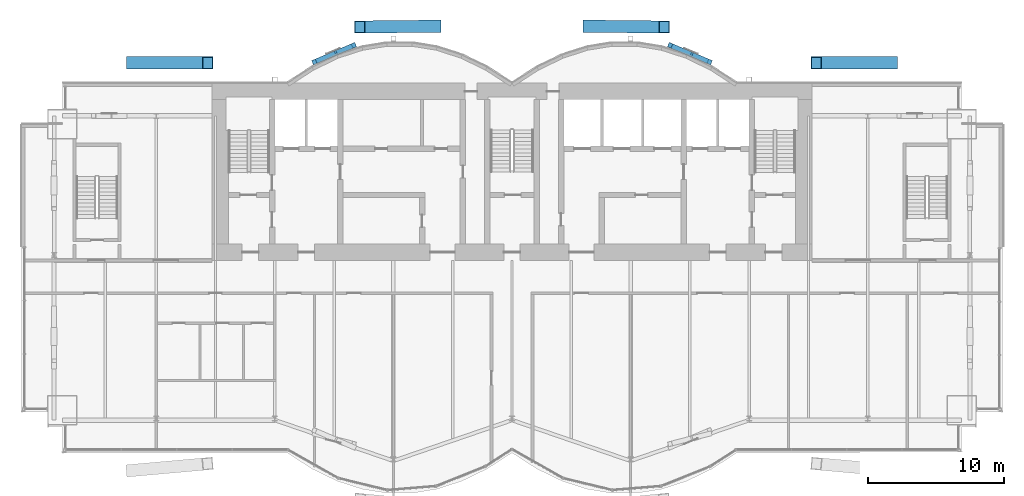
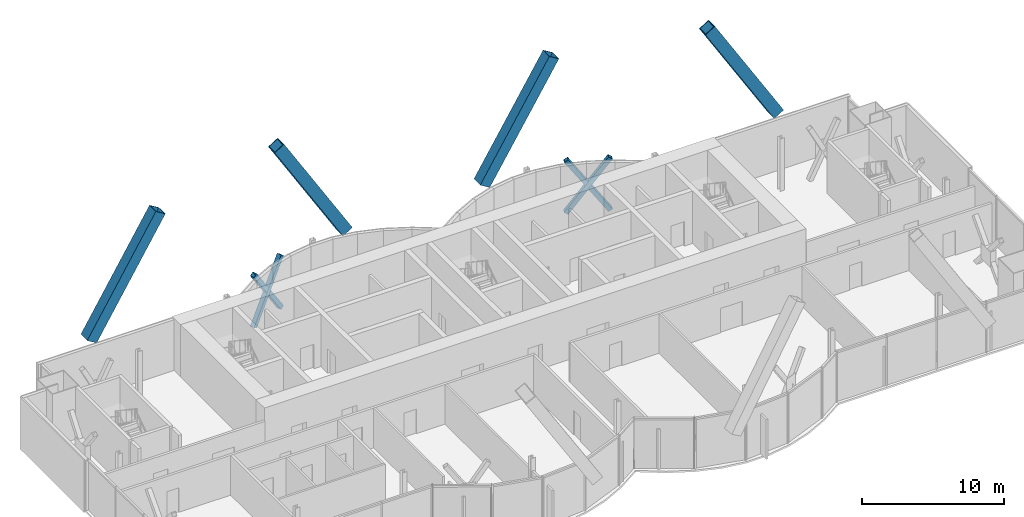
# One storey, part 10 of 19: 10 members.
"""IFC4 building model written with IfcOpenShell, lengths in metres."""

import ifcopenshell
import ifcopenshell.guid

model = None  # the IFC model being written
_history = None  # IfcOwnerHistory: only IFC2X3 demands one
_inside = {}  # id of a spatial element -> (the spatial element, [elements in it])
_under = {}  # id of a project, library or spatial element -> (it, [spatial elements below it])
_declared = {}  # id of a project -> (the project, [libraries it declares])
_typed = {}  # id of a type object -> (the type object, [elements of that type])
_made_of = {}  # id of a material, layer set ... -> (it, [elements and type objects made of it])


def new_model(schema):
    """Start an empty IFC model of exactly this schema.

    Asked for "IFC4X3", IfcOpenShell would pick the latest addendum, in which some entities
    have other attributes; the version numbers below select the first issue.
    IFC2X3 requires an IfcOwnerHistory on every rooted entity: one is made here for all.
    """
    global model, _history
    if schema == "IFC4X3":
        model = ifcopenshell.file(schema_version=(4, 3, 0, 0))
    else:
        model = ifcopenshell.file(schema=schema)
    _inside.clear()
    _under.clear()
    _declared.clear()
    _typed.clear()
    _made_of.clear()
    _history = None
    if model.schema == "IFC2X3":
        org = make("IfcOrganization", Name="unknown")
        user = make(
            "IfcPersonAndOrganization",
            ThePerson=make("IfcPerson", FamilyName="unknown"),
            TheOrganization=org,
        )
        app = make(
            "IfcApplication",
            ApplicationDeveloper=org,
            Version="unknown",
            ApplicationFullName="unknown",
            ApplicationIdentifier="unknown",
        )
        _history = make(
            "IfcOwnerHistory",
            OwningUser=user,
            OwningApplication=app,
            ChangeAction="ADDED",
            CreationDate=0,
        )
    return model


def make(cls, **values):
    """One entity of the class cls with the attributes given. An attribute that is None is left unset."""
    return model.create_entity(
        cls, **{name: value for name, value in values.items() if value is not None}
    )


def rooted(cls, **values):
    """An entity with a GlobalId (a new one), such as an element, a storey or a relation."""
    return make(cls, GlobalId=ifcopenshell.guid.new(), OwnerHistory=_history, **values)


def si_unit(unit_type, name, prefix=None):
    """IfcSIUnit, for example si_unit("LENGTHUNIT", "METRE", prefix="MILLI")."""
    return make("IfcSIUnit", UnitType=unit_type, Prefix=prefix, Name=name)


def assignment(units):
    """IfcUnitAssignment: the units of a project."""
    return None if units is None else make("IfcUnitAssignment", Units=units)


def point(xyz):
    """IfcCartesianPoint."""
    return None if xyz is None else make("IfcCartesianPoint", Coordinates=xyz)


def direction(xyz):
    """IfcDirection."""
    return None if xyz is None else make("IfcDirection", DirectionRatios=xyz)


def frame(location, z_axis=None, x_axis=None):
    """IfcAxis2Placement3D, a coordinate frame: its origin and axes. An axis left out is left unset."""
    return make(
        "IfcAxis2Placement3D",
        Location=point(location),
        Axis=direction(z_axis),
        RefDirection=direction(x_axis),
    )


def frame_2d(location, x_axis=None):
    """IfcAxis2Placement2D, a coordinate frame in the plane: its origin and x axis."""
    return make(
        "IfcAxis2Placement2D", Location=point(location), RefDirection=direction(x_axis)
    )


def origin():
    """The frame at (0, 0, 0) with its axes left unset."""
    return frame((0.0, 0.0, 0.0))


def origin_2d():
    """The frame at (0, 0) in the plane with its x axis left unset."""
    return frame_2d((0.0, 0.0))


def place(relative_to, where):
    """IfcLocalPlacement: puts the frame where relative to a parent placement (None: the world)."""
    return make(
        "IfcLocalPlacement", PlacementRelTo=relative_to, RelativePlacement=where
    )


def context(
    kind, dimensions, precision=None, world=None, true_north=None, identifier=None
):
    """IfcGeometricRepresentationContext, for example the 3D "Model" context."""
    return make(
        "IfcGeometricRepresentationContext",
        ContextIdentifier=identifier,
        ContextType=kind,
        CoordinateSpaceDimension=dimensions,
        Precision=precision,
        WorldCoordinateSystem=world,
        TrueNorth=true_north,
    )


def subcontext(parent, identifier, kind, view, scale=None):
    """IfcGeometricRepresentationSubContext, for example "Body" below "Model"."""
    return make(
        "IfcGeometricRepresentationSubContext",
        ContextIdentifier=identifier,
        ContextType=kind,
        ParentContext=parent,
        TargetScale=scale,
        TargetView=view,
    )


def project(units=None, contexts=None):
    """IfcProject with its units and contexts."""
    return rooted(
        "IfcProject",
        Name="project",
        RepresentationContexts=contexts,
        UnitsInContext=assignment(units),
    )


def spatial(cls, under=None, at=None, **own):
    """A site, building, storey or space (cls), placed at a placement, below another one or the project."""
    s = rooted(cls, ObjectPlacement=at, **own)
    if under is not None:
        _under.setdefault(under.id(), (under, []))[1].append(s)
    return s


def profile(cls, at=None, kind="AREA", **sizes):
    """A parametric profile (cls). Its sizes go by their IFC names, for example OverallWidth=200.0."""
    return make(cls, ProfileType=kind, Position=at, **sizes)


def hollow_rectangle(**sizes):
    """IfcRectangleHollowProfileDef."""
    return profile("IfcRectangleHollowProfileDef", **sizes)


def extrude(swept, where, along, depth):
    """IfcExtrudedAreaSolid: the profile swept, set in the frame where, extruded along a direction by depth."""
    return make(
        "IfcExtrudedAreaSolid",
        SweptArea=swept,
        Position=where,
        ExtrudedDirection=direction(along),
        Depth=depth,
    )


def shape(context_of_items, identifier, shape_type, items):
    """IfcShapeRepresentation: the items that make up one representation, for example the "Body"."""
    return make(
        "IfcShapeRepresentation",
        ContextOfItems=context_of_items,
        RepresentationIdentifier=identifier,
        RepresentationType=shape_type,
        Items=items,
    )


def material(Name=None, Category=None):
    """IfcMaterial."""
    return make("IfcMaterial", Name=Name, Category=Category)


def material_profile(
    of_material, cross_section, Name=None, Category=None, Priority=None
):
    """IfcMaterialProfile: a cross section and its material."""
    return make(
        "IfcMaterialProfile",
        Name=Name,
        Material=of_material,
        Profile=cross_section,
        Priority=Priority,
        Category=Category,
    )


def profile_set(profiles, Name=None, composite=None):
    """IfcMaterialProfileSet."""
    return make(
        "IfcMaterialProfileSet",
        Name=Name,
        MaterialProfiles=profiles,
        CompositeProfile=composite,
    )


def made_of(thing, what):
    """Note that an element or type object is made of a material, layer set ...; save() writes the relation."""
    if what is not None:
        _made_of.setdefault(what.id(), (what, []))[1].append(thing)
    return thing


def type_object(cls, material=None, **own):
    """A type object (cls), such as IfcWallType, which elements share."""
    return made_of(rooted(cls, **own), material)


def element(
    cls,
    number,
    at=None,
    inside=None,
    cuts=None,
    type_object=None,
    material=None,
    context=None,
    identifier="Body",
    shape_type=None,
    held_by="IfcProductDefinitionShape",
    body=None,
    shapes=None,
    **own,
):
    """One element of the class cls, such as IfcWall. Its Tag is "e" and its number.

    at: its placement. inside: the storey or other place that contains it. cuts: it is an
    opening in that element (IfcRelVoidsElement). A single representation is given by context,
    identifier, shape_type and body (its items); several are given by shapes. held_by: the class
    of the entity that holds the representations. save() writes the other relations.
    """
    e = rooted(cls, Tag="e%d" % number, ObjectPlacement=at, **own)
    if body is not None:
        shapes = [shape(context, identifier, shape_type, body)]
    if shapes is not None:
        e.Representation = make(held_by, Representations=shapes)
    if inside is not None:
        _inside.setdefault(inside.id(), (inside, []))[1].append(e)
    if cuts is not None:
        rooted(
            "IfcRelVoidsElement", RelatingBuildingElement=cuts, RelatedOpeningElement=e
        )
    if type_object is not None:
        _typed.setdefault(type_object.id(), (type_object, []))[1].append(e)
    return made_of(e, material)


def aggregate(whole, parts):
    """IfcRelAggregates: a whole, such as a stair, and the parts it consists of."""
    return rooted("IfcRelAggregates", RelatingObject=whole, RelatedObjects=parts)


def save(model, path):
    """Write the relations noted so far, then the file.

    IfcRelAggregates (storeys below a building ...), IfcRelContainedInSpatialStructure (elements
    in a storey), IfcRelDefinesByType, IfcRelAssociatesMaterial and IfcRelDeclares: one each for
    every whole, place, type object, material and project.
    """
    for whole, parts in _under.values():
        aggregate(whole, parts)
    for where, things in _inside.values():
        rooted(
            "IfcRelContainedInSpatialStructure",
            RelatedElements=things,
            RelatingStructure=where,
        )
    for kind, things in _typed.values():
        rooted("IfcRelDefinesByType", RelatedObjects=things, RelatingType=kind)
    for what, things in _made_of.values():
        rooted("IfcRelAssociatesMaterial", RelatedObjects=things, RelatingMaterial=what)
    for by, libraries in _declared.values():
        rooted("IfcRelDeclares", RelatingContext=by, RelatedDefinitions=libraries)
    model.write(path)


model = new_model("IFC4")

# Units and contexts
model_context = context("Model", 3, precision=1e-05, world=origin(), true_north=direction((0.0, 1.0)))
body_context = subcontext(model_context, "Body", "Model", "MODEL_VIEW")
ifc_project = project(units=[si_unit("LENGTHUNIT", "METRE"), si_unit("AREAUNIT", "SQUARE_METRE"), si_unit("VOLUMEUNIT", "CUBIC_METRE"), si_unit("PLANEANGLEUNIT", "RADIAN"), si_unit("MASSUNIT", "GRAM", prefix="KILO")], contexts=[model_context])

# Site, building, storey
site_placement = place(None, origin())
site = spatial("IfcSite", under=ifc_project, at=site_placement, CompositionType="ELEMENT")
building_placement = place(site_placement, origin())
building = spatial("IfcBuilding", under=site, at=building_placement, Name="Bicima Exchange Tower", CompositionType="ELEMENT")
storey_placement = place(building_placement, frame((0.0, 0.0, 297.5)))
storey = spatial("IfcBuildingStorey", under=building, at=storey_placement, Name="L67", CompositionType="ELEMENT", Elevation=297.5)

# Members
ifc_material = material(Name="Steel ASTM A572 Gr 50", Category="steel")
ifc_material_profile_1 = material_profile(ifc_material, hollow_rectangle(XDim=0.89990234375, YDim=0.89990234375, WallThickness=0.050048828125, at=origin_2d()))
ifc_profile_set_1 = profile_set([ifc_material_profile_1], Name="Steel ASTM A572 Gr 50")
member_type_1 = type_object("IfcMemberType", Name="Exo mega brace BOX 900x900x50", PredefinedType="BRACE", material=ifc_profile_set_1)
member_1_placement = place(storey_placement, frame((-27.916748046875, 1.5, 3.74169921875), z_axis=(0.521243487082, 0.0, 0.853408007447), x_axis=(0.0, 1.0, 0.0)))
element("IfcMember", 1, at=member_1_placement, inside=storey, type_object=member_type_1, Name="Exo mega brace rear", PredefinedType="BRACE", context=body_context, shape_type="SweptSolid", body=[
    extrude(hollow_rectangle(XDim=0.89990234375, YDim=0.89990234375, WallThickness=0.050048828125, at=origin_2d()), origin(), (0.0, 0.0, 1.0), 10.7119140625),
])
for number, where, z_axis, x_axis, name in (
    (2, (5.583251953125, 4.1865234375, 3.74169921875), (0.521234890023, -0.005743384009, 0.853393931876), (0.011018133066, 0.99993929853, 0.0), "Exo mega brace rear"),
    (3, (-5.583251953125, 4.1865234375, 3.74169921875), (-0.521234890023, -0.005743384009, 0.853393931876), (0.011018133066, -0.99993929853, 0.0), "Exo mega brace rear"),
):
    element("IfcMember", number, at=place(storey_placement, frame(where, z_axis=z_axis, x_axis=x_axis)), inside=storey, type_object=member_type_1, Name=name, PredefinedType="BRACE", context=body_context, shape_type="SweptSolid", body=[
        extrude(hollow_rectangle(XDim=0.89990234375, YDim=0.89990234375, WallThickness=0.050048828125, at=origin_2d()), origin(), (0.0, 0.0, 1.0), 10.712158203125),
    ])
member_2_placement = place(storey_placement, frame((27.916748046875, 1.5, 3.74169921875), z_axis=(-0.521243487082, 0.0, 0.853408007447), x_axis=(0.0, -1.0, 0.0)))
element("IfcMember", 4, at=member_2_placement, inside=storey, type_object=member_type_1, Name="Exo mega brace rear", PredefinedType="BRACE", context=body_context, shape_type="SweptSolid", body=[
    extrude(hollow_rectangle(XDim=0.89990234375, YDim=0.89990234375, WallThickness=0.050048828125, at=origin_2d()), origin(), (0.0, 0.0, 1.0), 10.7119140625),
])
ifc_material_profile_2 = material_profile(ifc_material, hollow_rectangle(XDim=0.355712890625, YDim=0.355712890625, WallThickness=0.01171875, at=origin_2d()))
ifc_profile_set_2 = profile_set([ifc_material_profile_2], Name="Steel ASTM A572 Gr 50")
member_type_2 = type_object("IfcMemberType", Name="Mega brace HSS14x14x1/2", PredefinedType="BRACE", material=ifc_profile_set_2)
member_3_placement = place(storey_placement, frame((-14.5, 1.55615234375, 0.0), z_axis=(0.527996544474, 0.223413927642, 0.819332573476), x_axis=(-0.389685518438, 0.920947988064, 0.0)))
element("IfcMember", 5, at=member_3_placement, inside=storey, type_object=member_type_2, Name="Mega brace rexo", PredefinedType="BRACE", context=body_context, shape_type="SweptSolid", body=[
    extrude(hollow_rectangle(XDim=0.355712890625, YDim=0.355712890625, WallThickness=0.01171875, at=origin_2d()), origin(), (0.0, 0.0, 1.0), 5.4921875),
])
member_4_placement = place(storey_placement, frame((-11.60009765625, 2.783203125, 0.0), z_axis=(-0.528021967144, -0.223368955734, 0.819328451738), x_axis=(0.389603074204, -0.920982868772, 0.0)))
element("IfcMember", 6, at=member_4_placement, inside=storey, type_object=member_type_2, Name="Mega brace rexo", PredefinedType="BRACE", context=body_context, shape_type="SweptSolid", body=[
    extrude(hollow_rectangle(XDim=0.355712890625, YDim=0.355712890625, WallThickness=0.01171875, at=origin_2d()), origin(), (0.0, 0.0, 1.0), 2.634033203125),
])
member_5_placement = place(storey_placement, frame((-13.109130859375, 2.144775390625, 2.341796875), z_axis=(-0.528011033695, -0.223457012856, 0.819311486373), x_axis=(0.389740183658, -0.920924855372, 0.0)))
element("IfcMember", 7, at=member_5_placement, inside=storey, type_object=member_type_2, Name="Mega brace rexo", PredefinedType="BRACE", context=body_context, shape_type="SweptSolid", body=[
    extrude(hollow_rectangle(XDim=0.355712890625, YDim=0.355712890625, WallThickness=0.01171875, at=origin_2d()), origin(), (0.0, 0.0, 1.0), 2.63427734375),
])
member_6_placement = place(storey_placement, frame((11.60009765625, 2.783203125, 0.0), z_axis=(0.527996544474, -0.223413927642, 0.819332573476), x_axis=(0.389685518438, 0.920947988064, 0.0)))
element("IfcMember", 8, at=member_6_placement, inside=storey, type_object=member_type_2, Name="Mega brace rexo", PredefinedType="BRACE", context=body_context, shape_type="SweptSolid", body=[
    extrude(hollow_rectangle(XDim=0.355712890625, YDim=0.355712890625, WallThickness=0.01171875, at=origin_2d()), origin(), (0.0, 0.0, 1.0), 5.4921875),
])
member_7_placement = place(storey_placement, frame((14.5, 1.55615234375, 0.0), z_axis=(-0.528011033695, 0.223457012856, 0.819311486373), x_axis=(-0.389740183658, -0.920924855372, 0.0)))
element("IfcMember", 9, at=member_7_placement, inside=storey, type_object=member_type_2, Name="Mega brace rexo", PredefinedType="BRACE", context=body_context, shape_type="SweptSolid", body=[
    extrude(hollow_rectangle(XDim=0.355712890625, YDim=0.355712890625, WallThickness=0.01171875, at=origin_2d()), origin(), (0.0, 0.0, 1.0), 2.63427734375),
])
member_8_placement = place(storey_placement, frame((12.990966796875, 2.19482421875, 2.341796875), z_axis=(-0.528021967144, 0.223368955734, 0.819328451738), x_axis=(-0.389603074204, -0.920982868772, 0.0)))
element("IfcMember", 10, at=member_8_placement, inside=storey, type_object=member_type_2, Name="Mega brace rexo", PredefinedType="BRACE", context=body_context, shape_type="SweptSolid", body=[
    extrude(hollow_rectangle(XDim=0.355712890625, YDim=0.355712890625, WallThickness=0.01171875, at=origin_2d()), origin(), (0.0, 0.0, 1.0), 2.634033203125),
])

save(model, "model.ifc")
